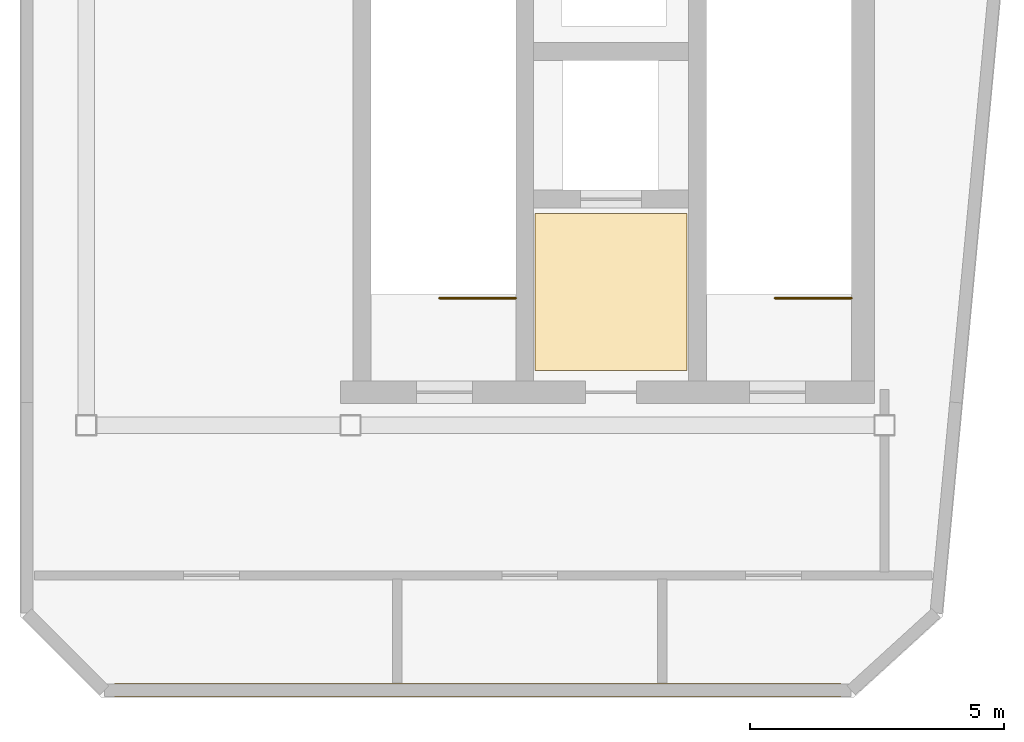
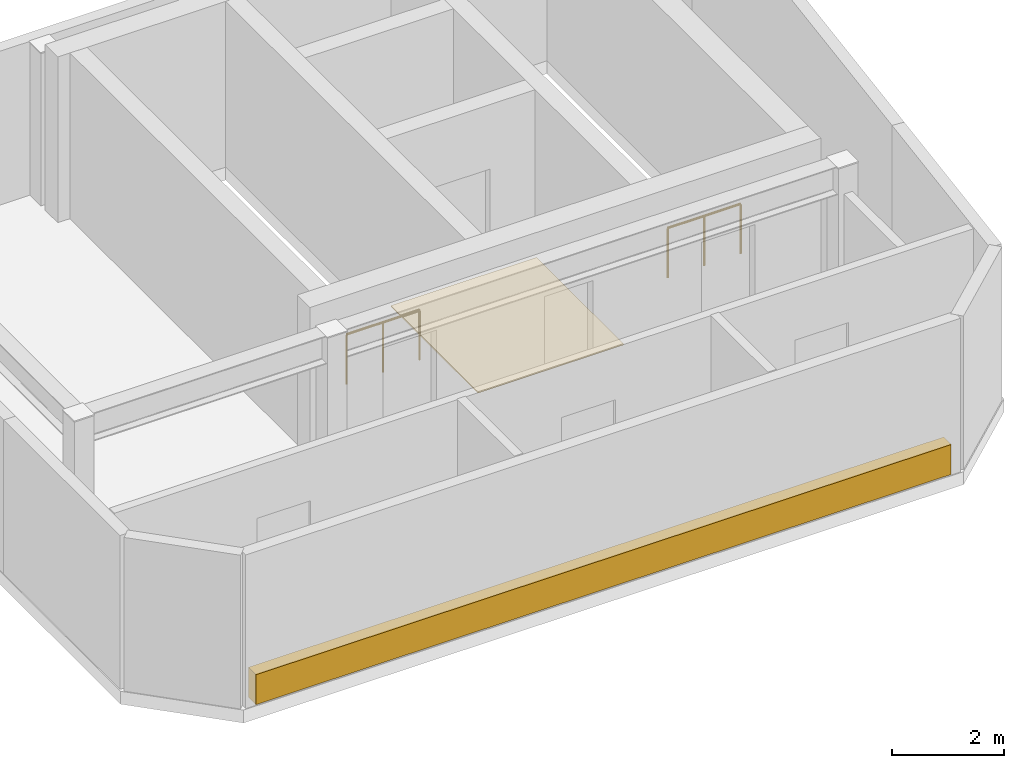
# One storey, part 2 of 2: 2 coverings, 2 railings.
"""IFC4 building model written with IfcOpenShell, lengths in metres."""

from ifc_helpers import new_model, si_unit, direction, frame, origin, origin_2d, place, context, subcontext, project, spatial, polyline, rectangle, circle, outline, extrude, material, layer, layer_set, type_object, element, save


model = new_model("IFC4")

# Units and contexts
model_context = context("Model", 3, precision=1e-05, world=origin(), true_north=direction((0.0, 1.0)))
body_context = subcontext(model_context, "Body", "Model", "MODEL_VIEW")
ifc_project = project(units=[si_unit("LENGTHUNIT", "METRE"), si_unit("AREAUNIT", "SQUARE_METRE"), si_unit("VOLUMEUNIT", "CUBIC_METRE"), si_unit("PLANEANGLEUNIT", "RADIAN"), si_unit("MASSUNIT", "GRAM", prefix="KILO")], contexts=[model_context])

# Site, building, storey
site_placement = place(None, origin())
site = spatial("IfcSite", under=ifc_project, at=site_placement, CompositionType="ELEMENT")
building_placement = place(site_placement, origin())
building = spatial("IfcBuilding", under=site, at=building_placement, Name="Kravanh Interchange Tower", CompositionType="ELEMENT")
storey_placement = place(building_placement, frame((0.0, 0.0, 333.60009765625)))
storey = spatial("IfcBuildingStorey", under=building, at=storey_placement, Name="L83", CompositionType="ELEMENT", Elevation=333.60009765625)

# Coverings
ifc_material_1 = material(Name="Anodised Champagne Bronze Aluminium", Category="aluminium")
ifc_layer_1 = layer(ifc_material_1, 0.02490234375)
ifc_layer_set_1 = layer_set([ifc_layer_1], Name="Anodised Bronze Spandrel Fascia Cladding 25mm")
covering_type_1 = type_object("IfcCoveringType", Name="Anodised Bronze Spandrel Fascia Cladding 25mm", PredefinedType="CLADDING", material=ifc_layer_set_1)
covering_1_placement = place(storey_placement, frame((58.501953125, 32.139892578125, 0.02490234375), z_axis=(0.0, 0.0, 1.0), x_axis=(-1.0, 0.0, 0.0)))
element("IfcCovering", 1, at=covering_1_placement, inside=storey, type_object=covering_type_1, Name="L83 Bronze Fascia Cladding 9", PredefinedType="CLADDING", context=body_context, shape_type="SweptSolid", body=[
    extrude(rectangle(XDim=14.2880859375, YDim=0.27001953125, at=origin_2d()), origin(), (0.0, 0.0, 1.0), 0.64990234375),
])
ifc_material_2 = material(Name="Cementitious Terrazzo Tile")
ifc_layer_2 = layer(ifc_material_2, 0.030029296875)
ifc_layer_set_2 = layer_set([ifc_layer_2], Name="Honed Terrazzo Lobby Flooring 30mm")
covering_type_2 = type_object("IfcCoveringType", Name="Honed Terrazzo Lobby Flooring 30mm", PredefinedType="FLOORING", material=ifc_layer_set_2)
covering_2_placement = place(storey_placement, origin())
element("IfcCovering", 2, at=covering_2_placement, inside=storey, type_object=covering_type_2, Name="L83 Service Lift Lobby Floor Finish", PredefinedType="FLOORING", context=body_context, shape_type="SweptSolid", body=[
    extrude(outline(polyline([(59.6298828125, 41.52001953125), (62.6201171875, 41.52001953125), (62.6201171875, 38.429931640625), (59.6298828125, 38.429931640625), (59.6298828125, 41.52001953125)])), origin(), (0.0, 0.0, 1.0), 0.02978515625),
])

# Railings
ifc_material_3 = material(Name="Structural Steel S355", Category="steel")
ifc_layer_3 = layer(ifc_material_3, 0.050048828125)
ifc_layer_set_3 = layer_set([ifc_layer_3], Name="Stair Well Guardrail Structural Steel S355 1100mm")
railing_type = type_object("IfcRailingType", Name="Stair Well Guardrail Structural Steel S355 1100mm", PredefinedType="GUARDRAIL", material=ifc_layer_set_3)
for number, where, name in (
    (3, (65.85009765625, 39.85009765625, 0.0), "L83 ST1 top well guard 1"),
    (4, (59.25, 39.85009765625, 0.0), "L83 ST2 top well guard 1"),
):
    element("IfcRailing", number, at=place(storey_placement, frame(where)), inside=storey, type_object=railing_type, Name=name, PredefinedType="GUARDRAIL", context=body_context, shape_type="SweptSolid", body=[
        extrude(circle(Radius=0.02392578125, at=origin_2d()), frame((0.0, 0.0, 1.076171875), z_axis=(-1.0, 0.0, 0.0), x_axis=(0.0, -1.0, 0.0)), (0.0, 0.0, 1.0), 1.5),
        extrude(circle(Radius=0.02099609375, at=origin_2d()), origin(), (0.0, 0.0, 1.0), 1.052001953125),
        extrude(circle(Radius=0.02099609375, at=origin_2d()), frame((-0.75, 0.0, 0.0)), (0.0, 0.0, 1.0), 1.052001953125),
        extrude(circle(Radius=0.02099609375, at=origin_2d()), frame((-1.5, 0.0, 0.0)), (0.0, 0.0, 1.0), 1.052001953125),
    ])

save(model, "model.ifc")
